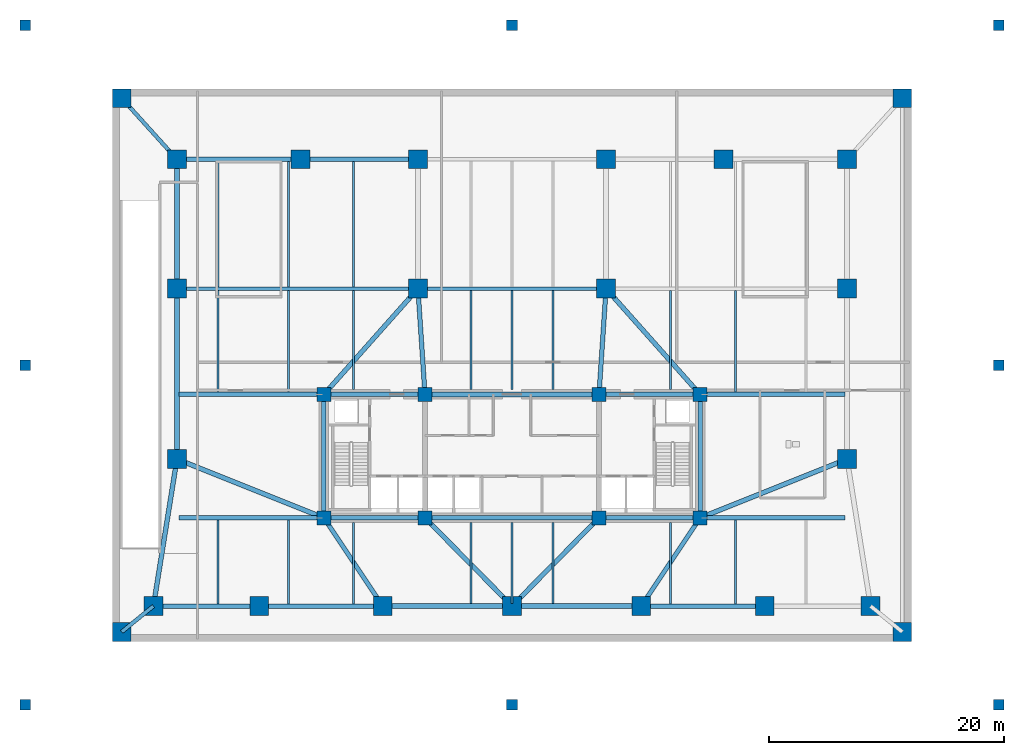
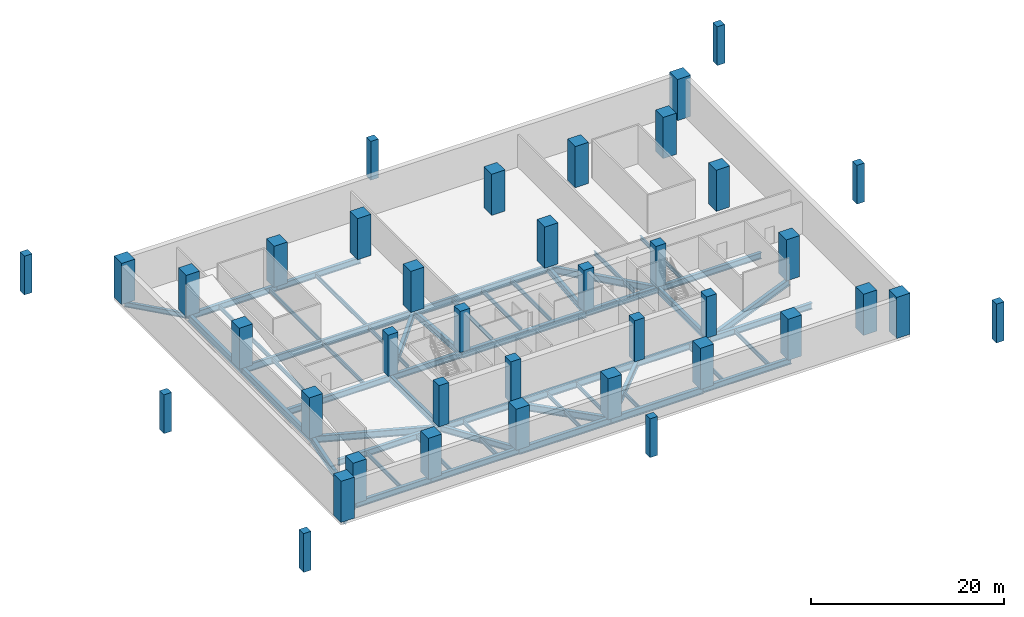
# One storey, part 1 of 9: 55 beams, 39 columns.
"""IFC4 building model written with IfcOpenShell, lengths in metres."""

from ifc_helpers import new_model, si_unit, direction, frame, origin, origin_2d, place, context, subcontext, project, spatial, rectangle, i_section, extrude, material, material_profile, profile_set, type_object, element, save


model = new_model("IFC4")

# Units and contexts
model_context = context("Model", 3, precision=1e-05, world=origin(), true_north=direction((0.0, 1.0)))
body_context = subcontext(model_context, "Body", "Model", "MODEL_VIEW")
ifc_project = project(units=[si_unit("LENGTHUNIT", "METRE"), si_unit("AREAUNIT", "SQUARE_METRE"), si_unit("VOLUMEUNIT", "CUBIC_METRE"), si_unit("PLANEANGLEUNIT", "RADIAN"), si_unit("MASSUNIT", "GRAM", prefix="KILO")], contexts=[model_context])

# Site, building, storey
site_placement = place(None, origin())
site = spatial("IfcSite", under=ifc_project, at=site_placement, CompositionType="ELEMENT")
building_placement = place(site_placement, origin())
building = spatial("IfcBuilding", under=site, at=building_placement, Name="Solmavex Isthmus Hotel", CompositionType="ELEMENT")
storey_placement = place(building_placement, frame((0.0, 0.0, -5.199951171875)))
storey = spatial("IfcBuildingStorey", under=building, at=storey_placement, Name="B01", CompositionType="ELEMENT", Elevation=-5.199951171875)

# Columns
ifc_material_1 = material(Name="Concrete C70/85", Category="concrete")
ifc_material_profile_1 = material_profile(ifc_material_1, rectangle(XDim=1.199951171875, YDim=1.199951171875, at=origin_2d()), Name="RC1200X1200")
ifc_profile_set_1 = profile_set([ifc_material_profile_1], Name="Concrete C70/85")
column_type_1 = type_object("IfcColumnType", Name="COL-CC-1200", PredefinedType="COLUMN", material=ifc_profile_set_1)
for number, where, z_axis, x_axis, name in (
    (1, (-16.0, -13.0, 0.0), (0.0, 0.0, 1.0), (1.0, 0.0, 0.0), "Core Pilaster CC-SW B01"),
    (2, (-7.39990234375, -13.0, 0.0), (0.0, 0.0, 1.0), (1.0, 0.0, 0.0), "Core Pilaster CC-S1 B01"),
    (3, (7.39990234375, -13.0, 0.0), (0.0, 0.0, 1.0), (1.0, 0.0, 0.0), "Core Pilaster CC-S2 B01"),
    (4, (16.0, -13.0, 0.0), (0.0, 0.0, 1.0), (1.0, 0.0, 0.0), "Core Pilaster CC-SE B01"),
    (5, (-16.0, -2.5, 0.0), (0.0, 0.0, 1.0), (1.0, 0.0, 0.0), "Core Pilaster CC-NW B01"),
    (6, (-7.39990234375, -2.5, 0.0), (0.0, 0.0, 1.0), (1.0, 0.0, 0.0), "Core Pilaster CC-N1 B01"),
    (7, (7.39990234375, -2.5, 0.0), (0.0, 0.0, 1.0), (1.0, 0.0, 0.0), "Core Pilaster CC-N2 B01"),
    (8, (16.0, -2.5, 0.0), (0.0, 0.0, 1.0), (1.0, 0.0, 0.0), "Core Pilaster CC-NE B01"),
):
    element("IfcColumn", number, at=place(storey_placement, frame(where, z_axis=z_axis, x_axis=x_axis)), inside=storey, type_object=column_type_1, Name=name, PredefinedType="COLUMN", context=body_context, shape_type="SweptSolid", body=[
        extrude(rectangle(XDim=1.199951171875, YDim=1.199951171875, at=origin_2d()), origin(), (0.0, 0.0, 1.0), 5.199951171875),
    ])
ifc_material_2 = material(Name="Concrete C50/60", Category="concrete")
ifc_material_profile_2 = material_profile(ifc_material_2, rectangle(XDim=0.89990234375, YDim=0.89990234375, at=origin_2d()), Name="RC900X900")
ifc_profile_set_2 = profile_set([ifc_material_profile_2], Name="Concrete C50/60")
column_type_2 = type_object("IfcColumnType", Name="COL-CC-900", PredefinedType="COLUMN", material=ifc_profile_set_2)
for number, where, z_axis, x_axis, name in (
    (9, (-41.39990234375, 28.89990234375, 0.0), (0.0, 0.0, 1.0), (1.0, 0.0, 0.0), "Plaza Support Pier AP-NW B01"),
    (10, (0.0, 28.89990234375, 0.0), (0.0, 0.0, 1.0), (1.0, 0.0, 0.0), "Plaza Support Pier AP-N0 B01"),
    (11, (41.39990234375, 28.89990234375, 0.0), (0.0, 0.0, 1.0), (1.0, 0.0, 0.0), "Plaza Support Pier AP-NE B01"),
    (12, (-41.39990234375, -28.89990234375, 0.0), (0.0, 0.0, 1.0), (1.0, 0.0, 0.0), "Plaza Support Pier AP-SW B01"),
    (13, (0.0, -28.89990234375, 0.0), (0.0, 0.0, 1.0), (1.0, 0.0, 0.0), "Plaza Support Pier AP-S0 B01"),
    (14, (41.39990234375, -28.89990234375, 0.0), (0.0, 0.0, 1.0), (1.0, 0.0, 0.0), "Plaza Support Pier AP-SE B01"),
    (15, (-41.39990234375, 0.0, 0.0), (0.0, 0.0, 1.0), (1.0, 0.0, 0.0), "Plaza Support Pier AP-W0 B01"),
    (16, (41.39990234375, 0.0, 0.0), (0.0, 0.0, 1.0), (1.0, 0.0, 0.0), "Plaza Support Pier AP-E0 B01"),
):
    element("IfcColumn", number, at=place(storey_placement, frame(where, z_axis=z_axis, x_axis=x_axis)), inside=storey, type_object=column_type_2, Name=name, PredefinedType="COLUMN", context=body_context, shape_type="SweptSolid", body=[
        extrude(rectangle(XDim=0.89990234375, YDim=0.89990234375, at=origin_2d()), origin(), (0.0, 0.0, 1.0), 4.89990234375),
    ])
ifc_material_profile_3 = material_profile(ifc_material_1, rectangle(XDim=1.60009765625, YDim=1.60009765625, at=origin_2d()), Name="RC1600X1600")
ifc_profile_set_3 = profile_set([ifc_material_profile_3], Name="Concrete C70/85")
column_type_3 = type_object("IfcColumnType", Name="COL-MC-1600", PredefinedType="COLUMN", material=ifc_profile_set_3)
for number, where, z_axis, x_axis, name in (
    (17, (-33.199951171875, -22.699951171875, 0.0), (0.0, 0.0, 1.0), (1.0, 0.0, 0.0), "Podium Mega Column MC-SW B01"),
    (18, (33.199951171875, -22.699951171875, 0.0), (0.0, 0.0, 1.0), (1.0, 0.0, 0.0), "Podium Mega Column MC-SE B01"),
    (19, (-33.199951171875, 22.699951171875, 0.0), (0.0, 0.0, 1.0), (1.0, 0.0, 0.0), "Podium Mega Column MC-NW B01"),
    (20, (33.199951171875, 22.699951171875, 0.0), (0.0, 0.0, 1.0), (1.0, 0.0, 0.0), "Podium Mega Column MC-NE B01"),
    (21, (-30.5, -20.5, 0.0), (0.0, 0.0, 1.0), (1.0, 0.0, 0.0), "Podium Mega Column MC-S1 B01"),
    (22, (-21.5, -20.5, 0.0), (0.0, 0.0, 1.0), (1.0, 0.0, 0.0), "Podium Mega Column MC-S2 B01"),
    (23, (-11.0, -20.5, 0.0), (0.0, 0.0, 1.0), (1.0, 0.0, 0.0), "Podium Mega Column MC-S3 B01"),
    (24, (0.0, -20.5, 0.0), (0.0, 0.0, 1.0), (1.0, 0.0, 0.0), "Podium Mega Column MC-S4 B01"),
    (25, (11.0, -20.5, 0.0), (0.0, 0.0, 1.0), (1.0, 0.0, 0.0), "Podium Mega Column MC-S5 B01"),
    (26, (21.5, -20.5, 0.0), (0.0, 0.0, 1.0), (1.0, 0.0, 0.0), "Podium Mega Column MC-S6 B01"),
    (27, (30.5, -20.5, 0.0), (0.0, 0.0, 1.0), (1.0, 0.0, 0.0), "Podium Mega Column MC-S7 B01"),
    (28, (-28.5, -8.0, 0.0), (0.0, 0.0, 1.0), (1.0, 0.0, 0.0), "Podium Mega Column MC-W1 B01"),
    (29, (28.5, -8.0, 0.0), (0.0, 0.0, 1.0), (1.0, 0.0, 0.0), "Podium Mega Column MC-E1 B01"),
    (30, (-28.5, 6.5, 0.0), (0.0, 0.0, 1.0), (1.0, 0.0, 0.0), "Podium Mega Column MC-M1 B01"),
    (31, (-8.0, 6.5, 0.0), (0.0, 0.0, 1.0), (1.0, 0.0, 0.0), "Podium Mega Column MC-M2 B01"),
    (32, (8.0, 6.5, 0.0), (0.0, 0.0, 1.0), (1.0, 0.0, 0.0), "Podium Mega Column MC-M3 B01"),
    (33, (28.5, 6.5, 0.0), (0.0, 0.0, 1.0), (1.0, 0.0, 0.0), "Podium Mega Column MC-M4 B01"),
    (34, (-28.5, 17.5, 0.0), (0.0, 0.0, 1.0), (1.0, 0.0, 0.0), "Podium Mega Column MC-N1 B01"),
    (35, (-18.0, 17.5, 0.0), (0.0, 0.0, 1.0), (1.0, 0.0, 0.0), "Podium Mega Column MC-N2 B01"),
    (36, (-8.0, 17.5, 0.0), (0.0, 0.0, 1.0), (1.0, 0.0, 0.0), "Podium Mega Column MC-N3 B01"),
    (37, (8.0, 17.5, 0.0), (0.0, 0.0, 1.0), (1.0, 0.0, 0.0), "Podium Mega Column MC-N4 B01"),
    (38, (18.0, 17.5, 0.0), (0.0, 0.0, 1.0), (1.0, 0.0, 0.0), "Podium Mega Column MC-N5 B01"),
    (39, (28.5, 17.5, 0.0), (0.0, 0.0, 1.0), (1.0, 0.0, 0.0), "Podium Mega Column MC-N6 B01"),
):
    element("IfcColumn", number, at=place(storey_placement, frame(where, z_axis=z_axis, x_axis=x_axis)), inside=storey, type_object=column_type_3, Name=name, PredefinedType="COLUMN", context=body_context, shape_type="SweptSolid", body=[
        extrude(rectangle(XDim=1.60009765625, YDim=1.60009765625, at=origin_2d()), origin(), (0.0, 0.0, 1.0), 5.199951171875),
    ])

# Beams
ifc_material_3 = material(Name="Steel ASTM A992 Grade 50", Category="steel")
ifc_material_profile_4 = material_profile(ifc_material_3, i_section(OverallWidth=0.380615234375, OverallDepth=0.773193359375, WebThickness=0.0166015625, FlangeThickness=0.027099609375, FilletRadius=0.01904296875, at=origin_2d()), Name="W30X173")
ifc_profile_set_4 = profile_set([ifc_material_profile_4], Name="Steel ASTM A992 Grade 50")
beam_type_1 = type_object("IfcBeamType", Name="BM-BG-W30X173", PredefinedType="BEAM", material=ifc_profile_set_4)
beam_1_placement = place(storey_placement, frame((-30.5, -20.5, -0.70654296875), z_axis=(1.0, 0.0, 0.0), x_axis=(0.0, 1.0, 0.0)))
element("IfcBeam", 40, at=beam_1_placement, inside=storey, type_object=beam_type_1, Name="Podium Primary Girder B01-G01", PredefinedType="BEAM", context=body_context, shape_type="SweptSolid", body=[
    extrude(i_section(OverallWidth=0.380615234375, OverallDepth=0.773193359375, WebThickness=0.0166015625, FlangeThickness=0.027099609375, FilletRadius=0.01904296875, at=origin_2d()), origin(), (0.0, 0.0, 1.0), 9.0),
])
for number, where, z_axis, x_axis, name in (
    (41, (-21.5, -20.5, -0.70654296875), (1.0, 0.0, 0.0), (0.0, 1.0, 0.0), "Podium Primary Girder B01-G02"),
    (42, (11.0, -20.5, -0.70654296875), (1.0, 0.0, 0.0), (0.0, 1.0, 0.0), "Podium Primary Girder B01-G05"),
    (43, (-28.5, 17.5, -0.70654296875), (1.0, 0.0, 0.0), (0.0, 1.0, 0.0), "Podium Primary Girder B01-G07"),
):
    element("IfcBeam", number, at=place(storey_placement, frame(where, z_axis=z_axis, x_axis=x_axis)), inside=storey, type_object=beam_type_1, Name=name, PredefinedType="BEAM", context=body_context, shape_type="SweptSolid", body=[
        extrude(i_section(OverallWidth=0.380615234375, OverallDepth=0.773193359375, WebThickness=0.0166015625, FlangeThickness=0.027099609375, FilletRadius=0.01904296875, at=origin_2d()), origin(), (0.0, 0.0, 1.0), 10.5),
    ])
beam_2_placement = place(storey_placement, frame((-18.0, 17.5, -0.70654296875), z_axis=(1.0, 0.0, 0.0), x_axis=(0.0, 1.0, 0.0)))
element("IfcBeam", 44, at=beam_2_placement, inside=storey, type_object=beam_type_1, Name="Podium Primary Girder B01-G08", PredefinedType="BEAM", context=body_context, shape_type="SweptSolid", body=[
    extrude(i_section(OverallWidth=0.380615234375, OverallDepth=0.773193359375, WebThickness=0.0166015625, FlangeThickness=0.027099609375, FilletRadius=0.01904296875, at=origin_2d()), origin(), (0.0, 0.0, 1.0), 10.0),
])
for number, where, z_axis, x_axis, name in (
    (45, (-11.0, -20.5, -0.70654296875), (-0.554700196225, 0.832050294338, 0.0), (-0.832050294338, -0.554700196225, 0.0), "Podium Primary Girder B01-G21"),
    (46, (11.0, -20.5, -0.70654296875), (0.554700196225, 0.832050294338, 0.0), (-0.832050294338, 0.554700196225, 0.0), "Podium Primary Girder B01-G24"),
):
    element("IfcBeam", number, at=place(storey_placement, frame(where, z_axis=z_axis, x_axis=x_axis)), inside=storey, type_object=beam_type_1, Name=name, PredefinedType="BEAM", context=body_context, shape_type="SweptSolid", body=[
        extrude(i_section(OverallWidth=0.380615234375, OverallDepth=0.773193359375, WebThickness=0.0166015625, FlangeThickness=0.027099609375, FilletRadius=0.01904296875, at=origin_2d()), origin(), (0.0, 0.0, 1.0), 9.013916015625),
    ])
for number, where, z_axis, x_axis, name in (
    (47, (-7.39990234375, -2.5, -0.70654296875), (-0.066529789268, 0.997784439215, 0.0), (-0.997784439215, -0.066529789268, 0.0), "Podium Primary Girder B01-G26"),
    (48, (7.39990234375, -2.5, -0.70654296875), (0.066529789268, 0.997784439215, 0.0), (-0.997784439215, 0.066529789268, 0.0), "Podium Primary Girder B01-G27"),
):
    element("IfcBeam", number, at=place(storey_placement, frame(where, z_axis=z_axis, x_axis=x_axis)), inside=storey, type_object=beam_type_1, Name=name, PredefinedType="BEAM", context=body_context, shape_type="SweptSolid", body=[
        extrude(i_section(OverallWidth=0.380615234375, OverallDepth=0.773193359375, WebThickness=0.0166015625, FlangeThickness=0.027099609375, FilletRadius=0.01904296875, at=origin_2d()), origin(), (0.0, 0.0, 1.0), 9.02001953125),
    ])
for number, where, z_axis, x_axis, name in (
    (49, (-16.0, -13.0, -0.70654296875), (1.0, 0.0, 0.0), (0.0, 1.0, 0.0), "Podium Primary Girder B01-G33"),
    (50, (7.39990234375, -13.0, -0.70654296875), (1.0, 0.0, 0.0), (0.0, 1.0, 0.0), "Podium Primary Girder B01-G35"),
    (51, (-16.0, -2.5, -0.70654296875), (1.0, 0.0, 0.0), (0.0, 1.0, 0.0), "Podium Primary Girder B01-G36"),
    (52, (7.39990234375, -2.5, -0.70654296875), (1.0, 0.0, 0.0), (0.0, 1.0, 0.0), "Podium Primary Girder B01-G38"),
):
    element("IfcBeam", number, at=place(storey_placement, frame(where, z_axis=z_axis, x_axis=x_axis)), inside=storey, type_object=beam_type_1, Name=name, PredefinedType="BEAM", context=body_context, shape_type="SweptSolid", body=[
        extrude(i_section(OverallWidth=0.380615234375, OverallDepth=0.773193359375, WebThickness=0.0166015625, FlangeThickness=0.027099609375, FilletRadius=0.01904296875, at=origin_2d()), origin(), (0.0, 0.0, 1.0), 8.60009765625),
    ])
for number, where, z_axis, x_axis, name in (
    (53, (-16.0, -13.0, -0.70654296875), (0.0, 1.0, 0.0), (-1.0, 0.0, 0.0), "Podium Primary Girder B01-G39"),
    (54, (16.0, -13.0, -0.70654296875), (0.0, 1.0, 0.0), (-1.0, 0.0, 0.0), "Podium Primary Girder B01-G40"),
):
    element("IfcBeam", number, at=place(storey_placement, frame(where, z_axis=z_axis, x_axis=x_axis)), inside=storey, type_object=beam_type_1, Name=name, PredefinedType="BEAM", context=body_context, shape_type="SweptSolid", body=[
        extrude(i_section(OverallWidth=0.380615234375, OverallDepth=0.773193359375, WebThickness=0.0166015625, FlangeThickness=0.027099609375, FilletRadius=0.01904296875, at=origin_2d()), origin(), (0.0, 0.0, 1.0), 10.5),
    ])
for number, where, z_axis, x_axis, name in (
    (55, (-28.31005859375, -2.5, -0.70654296875), (1.0, 0.0, 0.0), (0.0, 1.0, 0.0), "Podium Wing Collector Girder B01-EW01"),
    (56, (16.0, -2.5, -0.70654296875), (1.0, 0.0, 0.0), (0.0, 1.0, 0.0), "Podium Wing Collector Girder B01-EW02"),
    (57, (-28.31005859375, -13.0, -0.70654296875), (1.0, 0.0, 0.0), (0.0, 1.0, 0.0), "Podium Wing Collector Girder B01-EW03"),
    (58, (16.0, -13.0, -0.70654296875), (1.0, 0.0, 0.0), (0.0, 1.0, 0.0), "Podium Wing Collector Girder B01-EW04"),
):
    element("IfcBeam", number, at=place(storey_placement, frame(where, z_axis=z_axis, x_axis=x_axis)), inside=storey, type_object=beam_type_1, Name=name, PredefinedType="BEAM", context=body_context, shape_type="SweptSolid", body=[
        extrude(i_section(OverallWidth=0.380615234375, OverallDepth=0.773193359375, WebThickness=0.0166015625, FlangeThickness=0.027099609375, FilletRadius=0.01904296875, at=origin_2d()), origin(), (0.0, 0.0, 1.0), 12.31005859375),
    ])
ifc_material_profile_5 = material_profile(ifc_material_3, i_section(OverallWidth=0.39990234375, OverallDepth=0.85546875, WebThickness=0.018310546875, FlangeThickness=0.029296875, FilletRadius=0.020263671875, at=origin_2d()), Name="W33X201")
ifc_profile_set_5 = profile_set([ifc_material_profile_5], Name="Steel ASTM A992 Grade 50")
beam_type_2 = type_object("IfcBeamType", Name="BM-BG-W33X201", PredefinedType="BEAM", material=ifc_profile_set_5)
for number, where, z_axis, x_axis, name in (
    (59, (-11.0, -20.5, -0.747802734375), (1.0, 0.0, 0.0), (0.0, 1.0, 0.0), "Podium Primary Girder B01-G03"),
    (60, (0.0, -20.5, -0.747802734375), (1.0, 0.0, 0.0), (0.0, 1.0, 0.0), "Podium Primary Girder B01-G04"),
):
    element("IfcBeam", number, at=place(storey_placement, frame(where, z_axis=z_axis, x_axis=x_axis)), inside=storey, type_object=beam_type_2, Name=name, PredefinedType="BEAM", context=body_context, shape_type="SweptSolid", body=[
        extrude(i_section(OverallWidth=0.39990234375, OverallDepth=0.85546875, WebThickness=0.018310546875, FlangeThickness=0.029296875, FilletRadius=0.020263671875, at=origin_2d()), origin(), (0.0, 0.0, 1.0), 11.0),
    ])
beam_3_placement = place(storey_placement, frame((-30.5, -20.5, -0.747802734375), z_axis=(0.157990501107, 0.987440631917, 0.0), x_axis=(-0.987440631917, 0.157990501107, 0.0)))
element("IfcBeam", 61, at=beam_3_placement, inside=storey, type_object=beam_type_2, Name="Podium Primary Girder B01-G12", PredefinedType="BEAM", context=body_context, shape_type="SweptSolid", body=[
    extrude(i_section(OverallWidth=0.39990234375, OverallDepth=0.85546875, WebThickness=0.018310546875, FlangeThickness=0.029296875, FilletRadius=0.020263671875, at=origin_2d()), origin(), (0.0, 0.0, 1.0), 12.658935546875),
])
beam_4_placement = place(storey_placement, frame((-28.5, -8.0, -0.747802734375), z_axis=(0.0, 1.0, 0.0), x_axis=(-1.0, 0.0, 0.0)))
element("IfcBeam", 62, at=beam_4_placement, inside=storey, type_object=beam_type_2, Name="Podium Primary Girder B01-G13", PredefinedType="BEAM", context=body_context, shape_type="SweptSolid", body=[
    extrude(i_section(OverallWidth=0.39990234375, OverallDepth=0.85546875, WebThickness=0.018310546875, FlangeThickness=0.029296875, FilletRadius=0.020263671875, at=origin_2d()), origin(), (0.0, 0.0, 1.0), 14.5),
])
beam_5_placement = place(storey_placement, frame((-28.5, 6.5, -0.747802734375), z_axis=(0.0, 1.0, 0.0), x_axis=(-1.0, 0.0, 0.0)))
element("IfcBeam", 63, at=beam_5_placement, inside=storey, type_object=beam_type_2, Name="Podium Primary Girder B01-G14", PredefinedType="BEAM", context=body_context, shape_type="SweptSolid", body=[
    extrude(i_section(OverallWidth=0.39990234375, OverallDepth=0.85546875, WebThickness=0.018310546875, FlangeThickness=0.029296875, FilletRadius=0.020263671875, at=origin_2d()), origin(), (0.0, 0.0, 1.0), 11.0),
])
for number, where, z_axis, x_axis, name in (
    (64, (0.0, -20.5, -0.747802734375), (-0.702340583794, 0.711841066781, 0.0), (-0.711841066781, -0.702340583794, 0.0), "Podium Primary Girder B01-G22"),
    (65, (0.0, -20.5, -0.747802734375), (0.702340583794, 0.711841066781, 0.0), (-0.711841066781, 0.702340583794, 0.0), "Podium Primary Girder B01-G23"),
):
    element("IfcBeam", number, at=place(storey_placement, frame(where, z_axis=z_axis, x_axis=x_axis)), inside=storey, type_object=beam_type_2, Name=name, PredefinedType="BEAM", context=body_context, shape_type="SweptSolid", body=[
        extrude(i_section(OverallWidth=0.39990234375, OverallDepth=0.85546875, WebThickness=0.018310546875, FlangeThickness=0.029296875, FilletRadius=0.020263671875, at=origin_2d()), origin(), (0.0, 0.0, 1.0), 10.5361328125),
    ])
for number, where, z_axis, x_axis, name in (
    (66, (-16.0, -2.5, -0.747802734375), (0.66436383883, 0.747409318684, 0.0), (-0.747409318684, 0.66436383883, 0.0), "Podium Primary Girder B01-G25"),
    (67, (16.0, -2.5, -0.747802734375), (-0.66436383883, 0.747409318684, 0.0), (-0.747409318684, -0.66436383883, 0.0), "Podium Primary Girder B01-G28"),
):
    element("IfcBeam", number, at=place(storey_placement, frame(where, z_axis=z_axis, x_axis=x_axis)), inside=storey, type_object=beam_type_2, Name=name, PredefinedType="BEAM", context=body_context, shape_type="SweptSolid", body=[
        extrude(i_section(OverallWidth=0.39990234375, OverallDepth=0.85546875, WebThickness=0.018310546875, FlangeThickness=0.029296875, FilletRadius=0.020263671875, at=origin_2d()), origin(), (0.0, 0.0, 1.0), 12.04150390625),
    ])
for number, where, z_axis, x_axis, name in (
    (68, (-28.5, -8.0, -0.747802734375), (0.928476690885, -0.371390676354, 0.0), (0.371390676354, 0.928476690885, 0.0), "Podium Primary Girder B01-G31"),
    (69, (28.5, -8.0, -0.747802734375), (-0.928476690885, -0.371390676354, 0.0), (0.371390676354, -0.928476690885, 0.0), "Podium Primary Girder B01-G32"),
):
    element("IfcBeam", number, at=place(storey_placement, frame(where, z_axis=z_axis, x_axis=x_axis)), inside=storey, type_object=beam_type_2, Name=name, PredefinedType="BEAM", context=body_context, shape_type="SweptSolid", body=[
        extrude(i_section(OverallWidth=0.39990234375, OverallDepth=0.85546875, WebThickness=0.018310546875, FlangeThickness=0.029296875, FilletRadius=0.020263671875, at=origin_2d()), origin(), (0.0, 0.0, 1.0), 13.462890625),
    ])
for number, where, z_axis, x_axis, name in (
    (70, (-7.39990234375, -13.0, -0.747802734375), (1.0, 0.0, 0.0), (0.0, 1.0, 0.0), "Podium Primary Girder B01-G34"),
    (71, (-7.39990234375, -2.5, -0.747802734375), (1.0, 0.0, 0.0), (0.0, 1.0, 0.0), "Podium Primary Girder B01-G37"),
):
    element("IfcBeam", number, at=place(storey_placement, frame(where, z_axis=z_axis, x_axis=x_axis)), inside=storey, type_object=beam_type_2, Name=name, PredefinedType="BEAM", context=body_context, shape_type="SweptSolid", body=[
        extrude(i_section(OverallWidth=0.39990234375, OverallDepth=0.85546875, WebThickness=0.018310546875, FlangeThickness=0.029296875, FilletRadius=0.020263671875, at=origin_2d()), origin(), (0.0, 0.0, 1.0), 14.7998046875),
    ])
ifc_material_profile_6 = material_profile(ifc_material_3, i_section(OverallWidth=0.307861328125, OverallDepth=0.94287109375, WebThickness=0.022216796875, FlangeThickness=0.039794921875, FilletRadius=0.024169921875, at=origin_2d()), Name="W36X232")
ifc_profile_set_6 = profile_set([ifc_material_profile_6], Name="Steel ASTM A992 Grade 50")
beam_type_3 = type_object("IfcBeamType", Name="BM-BG-W36X232", PredefinedType="BEAM", material=ifc_profile_set_6)
beam_6_placement = place(storey_placement, frame((-28.5, 6.5, -0.79150390625), z_axis=(1.0, 0.0, 0.0), x_axis=(0.0, 1.0, 0.0)))
element("IfcBeam", 72, at=beam_6_placement, inside=storey, type_object=beam_type_3, Name="Podium Primary Girder B01-G18", PredefinedType="BEAM", context=body_context, shape_type="SweptSolid", body=[
    extrude(i_section(OverallWidth=0.307861328125, OverallDepth=0.94287109375, WebThickness=0.022216796875, FlangeThickness=0.039794921875, FilletRadius=0.024169921875, at=origin_2d()), origin(), (0.0, 0.0, 1.0), 20.5),
])
beam_7_placement = place(storey_placement, frame((-8.0, 6.5, -0.79150390625), z_axis=(1.0, 0.0, 0.0), x_axis=(0.0, 1.0, 0.0)))
element("IfcBeam", 73, at=beam_7_placement, inside=storey, type_object=beam_type_3, Name="Podium Primary Girder B01-G19", PredefinedType="BEAM", context=body_context, shape_type="SweptSolid", body=[
    extrude(i_section(OverallWidth=0.307861328125, OverallDepth=0.94287109375, WebThickness=0.022216796875, FlangeThickness=0.039794921875, FilletRadius=0.024169921875, at=origin_2d()), origin(), (0.0, 0.0, 1.0), 16.0),
])
ifc_material_profile_7 = material_profile(ifc_material_3, i_section(OverallWidth=0.16650390625, OverallDepth=0.534912109375, WebThickness=0.01025390625, FlangeThickness=0.0166015625, FilletRadius=0.013916015625, at=origin_2d()), Name="W21X57")
ifc_profile_set_7 = profile_set([ifc_material_profile_7], Name="Steel ASTM A992 Grade 50")
beam_type_4 = type_object("IfcBeamType", Name="BM-BJ-W21X57", PredefinedType="JOIST", material=ifc_profile_set_7)
beam_8_placement = place(storey_placement, frame((-25.0, -20.309814453125, -0.58740234375), z_axis=(0.0, 1.0, 0.0), x_axis=(-1.0, 0.0, 0.0)))
element("IfcBeam", 74, at=beam_8_placement, inside=storey, type_object=beam_type_4, Name="Podium Composite Floor Joist B01-J01", PredefinedType="JOIST", context=body_context, shape_type="SweptSolid", body=[
    extrude(i_section(OverallWidth=0.16650390625, OverallDepth=0.534912109375, WebThickness=0.01025390625, FlangeThickness=0.0166015625, FilletRadius=0.013916015625, at=origin_2d()), origin(), (0.0, 0.0, 1.0), 7.11962890625),
])
beam_9_placement = place(storey_placement, frame((-25.0, -2.309814453125, -0.58740234375), z_axis=(0.0, 1.0, 0.0), x_axis=(-1.0, 0.0, 0.0)))
element("IfcBeam", 75, at=beam_9_placement, inside=storey, type_object=beam_type_4, Name="Podium Composite Floor Joist B01-J02", PredefinedType="JOIST", context=body_context, shape_type="SweptSolid", body=[
    extrude(i_section(OverallWidth=0.16650390625, OverallDepth=0.534912109375, WebThickness=0.01025390625, FlangeThickness=0.0166015625, FilletRadius=0.013916015625, at=origin_2d()), origin(), (0.0, 0.0, 1.0), 8.656005859375),
])
beam_10_placement = place(storey_placement, frame((-25.0, 6.65380859375, -0.58740234375), z_axis=(0.0, 1.0, 0.0), x_axis=(-1.0, 0.0, 0.0)))
element("IfcBeam", 76, at=beam_10_placement, inside=storey, type_object=beam_type_4, Name="Podium Composite Floor Joist B01-J03", PredefinedType="JOIST", context=body_context, shape_type="SweptSolid", body=[
    extrude(i_section(OverallWidth=0.16650390625, OverallDepth=0.534912109375, WebThickness=0.01025390625, FlangeThickness=0.0166015625, FilletRadius=0.013916015625, at=origin_2d()), origin(), (0.0, 0.0, 1.0), 10.656005859375),
])
beam_11_placement = place(storey_placement, frame((-19.0, -20.309814453125, -0.58740234375), z_axis=(0.0, 1.0, 0.0), x_axis=(-1.0, 0.0, 0.0)))
element("IfcBeam", 77, at=beam_11_placement, inside=storey, type_object=beam_type_4, Name="Podium Composite Floor Joist B01-J04", PredefinedType="JOIST", context=body_context, shape_type="SweptSolid", body=[
    extrude(i_section(OverallWidth=0.16650390625, OverallDepth=0.534912109375, WebThickness=0.01025390625, FlangeThickness=0.0166015625, FilletRadius=0.013916015625, at=origin_2d()), origin(), (0.0, 0.0, 1.0), 7.11962890625),
])
beam_12_placement = place(storey_placement, frame((-19.0, -2.309814453125, -0.58740234375), z_axis=(0.0, 1.0, 0.0), x_axis=(-1.0, 0.0, 0.0)))
element("IfcBeam", 78, at=beam_12_placement, inside=storey, type_object=beam_type_4, Name="Podium Composite Floor Joist B01-J05", PredefinedType="JOIST", context=body_context, shape_type="SweptSolid", body=[
    extrude(i_section(OverallWidth=0.16650390625, OverallDepth=0.534912109375, WebThickness=0.01025390625, FlangeThickness=0.0166015625, FilletRadius=0.013916015625, at=origin_2d()), origin(), (0.0, 0.0, 1.0), 8.656005859375),
])
beam_13_placement = place(storey_placement, frame((-19.0, 6.65380859375, -0.58740234375), z_axis=(0.0, 1.0, 0.0), x_axis=(-1.0, 0.0, 0.0)))
element("IfcBeam", 79, at=beam_13_placement, inside=storey, type_object=beam_type_4, Name="Podium Composite Floor Joist B01-J06", PredefinedType="JOIST", context=body_context, shape_type="SweptSolid", body=[
    extrude(i_section(OverallWidth=0.16650390625, OverallDepth=0.534912109375, WebThickness=0.01025390625, FlangeThickness=0.0166015625, FilletRadius=0.013916015625, at=origin_2d()), origin(), (0.0, 0.0, 1.0), 10.656005859375),
])
beam_14_placement = place(storey_placement, frame((-13.5, -20.309814453125, -0.58740234375), z_axis=(0.0, 1.0, 0.0), x_axis=(-1.0, 0.0, 0.0)))
element("IfcBeam", 80, at=beam_14_placement, inside=storey, type_object=beam_type_4, Name="Podium Composite Floor Joist B01-J07", PredefinedType="JOIST", context=body_context, shape_type="SweptSolid", body=[
    extrude(i_section(OverallWidth=0.16650390625, OverallDepth=0.534912109375, WebThickness=0.01025390625, FlangeThickness=0.0166015625, FilletRadius=0.013916015625, at=origin_2d()), origin(), (0.0, 0.0, 1.0), 6.909912109375),
])
beam_15_placement = place(storey_placement, frame((-13.5, -2.10009765625, -0.58740234375), z_axis=(0.0, 1.0, 0.0), x_axis=(-1.0, 0.0, 0.0)))
element("IfcBeam", 81, at=beam_15_placement, inside=storey, type_object=beam_type_4, Name="Podium Composite Floor Joist B01-J08", PredefinedType="JOIST", context=body_context, shape_type="SweptSolid", body=[
    extrude(i_section(OverallWidth=0.16650390625, OverallDepth=0.534912109375, WebThickness=0.01025390625, FlangeThickness=0.0166015625, FilletRadius=0.013916015625, at=origin_2d()), origin(), (0.0, 0.0, 1.0), 8.4462890625),
])
beam_16_placement = place(storey_placement, frame((-13.5, 6.65380859375, -0.58740234375), z_axis=(0.0, 1.0, 0.0), x_axis=(-1.0, 0.0, 0.0)))
element("IfcBeam", 82, at=beam_16_placement, inside=storey, type_object=beam_type_4, Name="Podium Composite Floor Joist B01-J09", PredefinedType="JOIST", context=body_context, shape_type="SweptSolid", body=[
    extrude(i_section(OverallWidth=0.16650390625, OverallDepth=0.534912109375, WebThickness=0.01025390625, FlangeThickness=0.0166015625, FilletRadius=0.013916015625, at=origin_2d()), origin(), (0.0, 0.0, 1.0), 10.656005859375),
])
beam_17_placement = place(storey_placement, frame((-3.5, -20.300048828125, -0.58740234375), z_axis=(0.0, 1.0, 0.0), x_axis=(-1.0, 0.0, 0.0)))
element("IfcBeam", 83, at=beam_17_placement, inside=storey, type_object=beam_type_4, Name="Podium Composite Floor Joist B01-J10", PredefinedType="JOIST", context=body_context, shape_type="SweptSolid", body=[
    extrude(i_section(OverallWidth=0.16650390625, OverallDepth=0.534912109375, WebThickness=0.01025390625, FlangeThickness=0.0166015625, FilletRadius=0.013916015625, at=origin_2d()), origin(), (0.0, 0.0, 1.0), 6.900146484375),
])
beam_18_placement = place(storey_placement, frame((-3.5, -2.10009765625, -0.58740234375), z_axis=(0.0, 1.0, 0.0), x_axis=(-1.0, 0.0, 0.0)))
element("IfcBeam", 84, at=beam_18_placement, inside=storey, type_object=beam_type_4, Name="Podium Composite Floor Joist B01-J11", PredefinedType="JOIST", context=body_context, shape_type="SweptSolid", body=[
    extrude(i_section(OverallWidth=0.16650390625, OverallDepth=0.534912109375, WebThickness=0.01025390625, FlangeThickness=0.0166015625, FilletRadius=0.013916015625, at=origin_2d()), origin(), (0.0, 0.0, 1.0), 8.4462890625),
])
beam_19_placement = place(storey_placement, frame((0.0, -20.300048828125, -0.58740234375), z_axis=(0.0, 1.0, 0.0), x_axis=(-1.0, 0.0, 0.0)))
element("IfcBeam", 85, at=beam_19_placement, inside=storey, type_object=beam_type_4, Name="Podium Composite Floor Joist B01-J13", PredefinedType="JOIST", context=body_context, shape_type="SweptSolid", body=[
    extrude(i_section(OverallWidth=0.16650390625, OverallDepth=0.534912109375, WebThickness=0.01025390625, FlangeThickness=0.0166015625, FilletRadius=0.013916015625, at=origin_2d()), origin(), (0.0, 0.0, 1.0), 6.900146484375),
])
beam_20_placement = place(storey_placement, frame((0.0, -2.10009765625, -0.58740234375), z_axis=(0.0, 1.0, 0.0), x_axis=(-1.0, 0.0, 0.0)))
element("IfcBeam", 86, at=beam_20_placement, inside=storey, type_object=beam_type_4, Name="Podium Composite Floor Joist B01-J14", PredefinedType="JOIST", context=body_context, shape_type="SweptSolid", body=[
    extrude(i_section(OverallWidth=0.16650390625, OverallDepth=0.534912109375, WebThickness=0.01025390625, FlangeThickness=0.0166015625, FilletRadius=0.013916015625, at=origin_2d()), origin(), (0.0, 0.0, 1.0), 8.4462890625),
])
beam_21_placement = place(storey_placement, frame((3.5, -20.300048828125, -0.58740234375), z_axis=(0.0, 1.0, 0.0), x_axis=(-1.0, 0.0, 0.0)))
element("IfcBeam", 87, at=beam_21_placement, inside=storey, type_object=beam_type_4, Name="Podium Composite Floor Joist B01-J16", PredefinedType="JOIST", context=body_context, shape_type="SweptSolid", body=[
    extrude(i_section(OverallWidth=0.16650390625, OverallDepth=0.534912109375, WebThickness=0.01025390625, FlangeThickness=0.0166015625, FilletRadius=0.013916015625, at=origin_2d()), origin(), (0.0, 0.0, 1.0), 6.900146484375),
])
beam_22_placement = place(storey_placement, frame((3.5, -2.10009765625, -0.58740234375), z_axis=(0.0, 1.0, 0.0), x_axis=(-1.0, 0.0, 0.0)))
element("IfcBeam", 88, at=beam_22_placement, inside=storey, type_object=beam_type_4, Name="Podium Composite Floor Joist B01-J17", PredefinedType="JOIST", context=body_context, shape_type="SweptSolid", body=[
    extrude(i_section(OverallWidth=0.16650390625, OverallDepth=0.534912109375, WebThickness=0.01025390625, FlangeThickness=0.0166015625, FilletRadius=0.013916015625, at=origin_2d()), origin(), (0.0, 0.0, 1.0), 8.4462890625),
])
beam_23_placement = place(storey_placement, frame((13.5, -20.309814453125, -0.58740234375), z_axis=(0.0, 1.0, 0.0), x_axis=(-1.0, 0.0, 0.0)))
element("IfcBeam", 89, at=beam_23_placement, inside=storey, type_object=beam_type_4, Name="Podium Composite Floor Joist B01-J19", PredefinedType="JOIST", context=body_context, shape_type="SweptSolid", body=[
    extrude(i_section(OverallWidth=0.16650390625, OverallDepth=0.534912109375, WebThickness=0.01025390625, FlangeThickness=0.0166015625, FilletRadius=0.013916015625, at=origin_2d()), origin(), (0.0, 0.0, 1.0), 6.909912109375),
])
beam_24_placement = place(storey_placement, frame((13.5, -2.10009765625, -0.58740234375), z_axis=(0.0, 1.0, 0.0), x_axis=(-1.0, 0.0, 0.0)))
element("IfcBeam", 90, at=beam_24_placement, inside=storey, type_object=beam_type_4, Name="Podium Composite Floor Joist B01-J20", PredefinedType="JOIST", context=body_context, shape_type="SweptSolid", body=[
    extrude(i_section(OverallWidth=0.16650390625, OverallDepth=0.534912109375, WebThickness=0.01025390625, FlangeThickness=0.0166015625, FilletRadius=0.013916015625, at=origin_2d()), origin(), (0.0, 0.0, 1.0), 8.4462890625),
])
beam_25_placement = place(storey_placement, frame((19.0, -20.309814453125, -0.58740234375), z_axis=(0.0, 1.0, 0.0), x_axis=(-1.0, 0.0, 0.0)))
element("IfcBeam", 91, at=beam_25_placement, inside=storey, type_object=beam_type_4, Name="Podium Composite Floor Joist B01-J22", PredefinedType="JOIST", context=body_context, shape_type="SweptSolid", body=[
    extrude(i_section(OverallWidth=0.16650390625, OverallDepth=0.534912109375, WebThickness=0.01025390625, FlangeThickness=0.0166015625, FilletRadius=0.013916015625, at=origin_2d()), origin(), (0.0, 0.0, 1.0), 7.11962890625),
])
beam_26_placement = place(storey_placement, frame((19.0, -2.309814453125, -0.58740234375), z_axis=(0.0, 1.0, 0.0), x_axis=(-1.0, 0.0, 0.0)))
element("IfcBeam", 92, at=beam_26_placement, inside=storey, type_object=beam_type_4, Name="Podium Composite Floor Joist B01-J23", PredefinedType="JOIST", context=body_context, shape_type="SweptSolid", body=[
    extrude(i_section(OverallWidth=0.16650390625, OverallDepth=0.534912109375, WebThickness=0.01025390625, FlangeThickness=0.0166015625, FilletRadius=0.013916015625, at=origin_2d()), origin(), (0.0, 0.0, 1.0), 8.656005859375),
])
ifc_material_profile_8 = material_profile(ifc_material_3, i_section(OverallWidth=0.326416015625, OverallDepth=0.621826171875, WebThickness=0.015380859375, FlangeThickness=0.0244140625, FilletRadius=0.01513671875, at=origin_2d()), Name="W24X131")
ifc_profile_set_8 = profile_set([ifc_material_profile_8], Name="Steel ASTM A992 Grade 50")
beam_type_5 = type_object("IfcBeamType", Name="BM-SP-W24X131", PredefinedType="SPANDREL", material=ifc_profile_set_8)
beam_27_placement = place(storey_placement, frame((-33.199951171875, -22.699951171875, -0.630859375), z_axis=(0.77523625691, 0.631671390814, 0.0), x_axis=(-0.631671390814, 0.77523625691, 0.0)))
element("IfcBeam", 93, at=beam_27_placement, inside=storey, type_object=beam_type_5, Name="Podium Corner Perimeter Girder B01-CR01", PredefinedType="SPANDREL", context=body_context, shape_type="SweptSolid", body=[
    extrude(i_section(OverallWidth=0.326416015625, OverallDepth=0.621826171875, WebThickness=0.015380859375, FlangeThickness=0.0244140625, FilletRadius=0.01513671875, at=origin_2d()), origin(), (0.0, 0.0, 1.0), 3.482666015625),
])
beam_28_placement = place(storey_placement, frame((-33.199951171875, 22.699951171875, -0.630859375), z_axis=(0.670539300557, -0.741874009795, 0.0), x_axis=(0.741874009795, 0.670539300557, 0.0)))
element("IfcBeam", 94, at=beam_28_placement, inside=storey, type_object=beam_type_5, Name="Podium Corner Perimeter Girder B01-CR05", PredefinedType="SPANDREL", context=body_context, shape_type="SweptSolid", body=[
    extrude(i_section(OverallWidth=0.326416015625, OverallDepth=0.621826171875, WebThickness=0.015380859375, FlangeThickness=0.0244140625, FilletRadius=0.01513671875, at=origin_2d()), origin(), (0.0, 0.0, 1.0), 7.00927734375),
])

save(model, "model.ifc")
